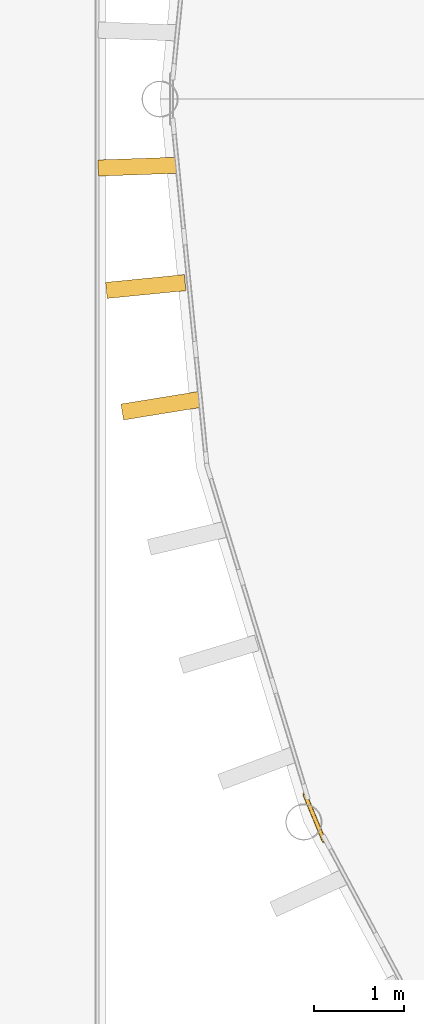
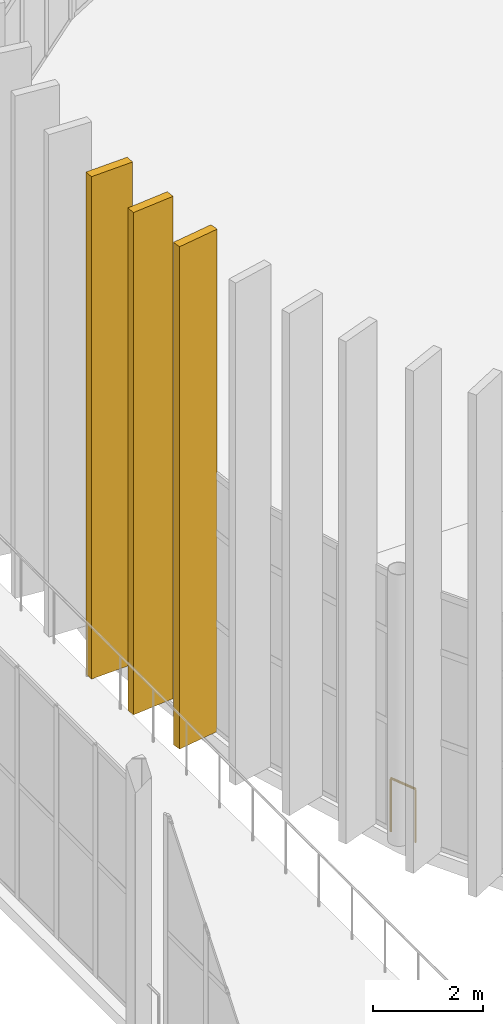
# One storey, part 121 of 139: 3 coverings, 1 railing.
"""IFC4 building model written with IfcOpenShell, lengths in metres."""

from ifc_helpers import new_model, si_unit, direction, frame, origin, origin_2d, place, context, subcontext, project, spatial, rectangle, circle, extrude, material, layer, layer_set, type_object, element, save


model = new_model("IFC4")

# Units and contexts
model_context = context("Model", 3, precision=1e-05, world=origin(), true_north=direction((0.0, 1.0)))
body_context = subcontext(model_context, "Body", "Model", "MODEL_VIEW")
ifc_project = project(units=[si_unit("LENGTHUNIT", "METRE"), si_unit("AREAUNIT", "SQUARE_METRE"), si_unit("VOLUMEUNIT", "CUBIC_METRE"), si_unit("PLANEANGLEUNIT", "RADIAN"), si_unit("MASSUNIT", "GRAM", prefix="KILO")], contexts=[model_context])

# Site, building, storey
site_placement = place(None, origin())
site = spatial("IfcSite", under=ifc_project, at=site_placement, CompositionType="ELEMENT")
building_placement = place(site_placement, origin())
building = spatial("IfcBuilding", under=site, at=building_placement, Name="Yeouljin Market Hall", CompositionType="ELEMENT")
storey_placement = place(building_placement, origin())
storey = spatial("IfcBuildingStorey", under=building, at=storey_placement, Name="L00", CompositionType="ELEMENT", Elevation=0.0)

# Coverings
ifc_material_1 = material(Name="White Limestone and Bronze Solar Fin", Category="masonry")
ifc_layer = layer(ifc_material_1, 0.179931640625)
ifc_layer_set = layer_set([ifc_layer], Name="White Limestone and Bronze Solar Fin")
covering_type = type_object("IfcCoveringType", Name="Covering_Limestone_SolarFin", PredefinedType="CLADDING", material=ifc_layer_set)
for number, where, z_axis, x_axis, name in (
    (1, (14.4150390625, 53.591796875, 0.0), (0.0, 0.0, 1.0), (-0.987052416168, -0.160398029092, 0.0), "Apse radial vertical lantern fin west 111"),
    (2, (14.242431640625, 54.916259765625, 0.0), (0.0, 0.0, 1.0), (-0.995193276492, -0.097930293706, 0.0), "Apse radial vertical lantern fin west 112"),
    (3, (14.1533203125, 56.248779296875, 0.0), (0.0, 0.0, 1.0), (-0.999372416692, -0.035422771708, 0.0), "Apse radial vertical lantern fin west 113"),
):
    element("IfcCovering", number, at=place(storey_placement, frame(where, z_axis=z_axis, x_axis=x_axis)), inside=storey, type_object=covering_type, Name=name, PredefinedType="CLADDING", context=body_context, shape_type="SweptSolid", body=[
        extrude(rectangle(XDim=0.8798828125, YDim=0.179931640625, at=origin_2d()), origin(), (0.0, 0.0, 1.0), 11.10009765625),
    ])

# Railing
ifc_material_2 = material(Name="Wrought Iron and Bronze Gallery Balustrade")
railing_type = type_object("IfcRailingType", Name="Railing_AtriumBalustrade_1200", PredefinedType="BALUSTRADE", material=ifc_material_2)
railing_placement = place(storey_placement, frame((16.22412109375, 48.75341796875, 0.0)))
element("IfcRailing", 4, at=railing_placement, inside=storey, type_object=railing_type, Name="Gallery & deck edge balustrade L00-011", PredefinedType="BALUSTRADE", context=body_context, shape_type="SweptSolid", body=[
    extrude(circle(Radius=0.02392578125, at=origin_2d()), frame((0.0, 0.0, 1.17578125), z_axis=(-0.382390216249, 0.924000932097, 0.0), x_axis=(-0.924000932097, -0.382390216249, 0.0)), (0.0, 0.0, 1.0), 0.561279296875),
    extrude(circle(Radius=0.02099609375, at=origin_2d()), origin(), (0.0, 0.0, 1.0), 1.15185546875),
    extrude(circle(Radius=0.02099609375, at=origin_2d()), frame((-0.214599609375, 0.5185546875, 0.0)), (0.0, 0.0, 1.0), 1.15185546875),
])

save(model, "model.ifc")
